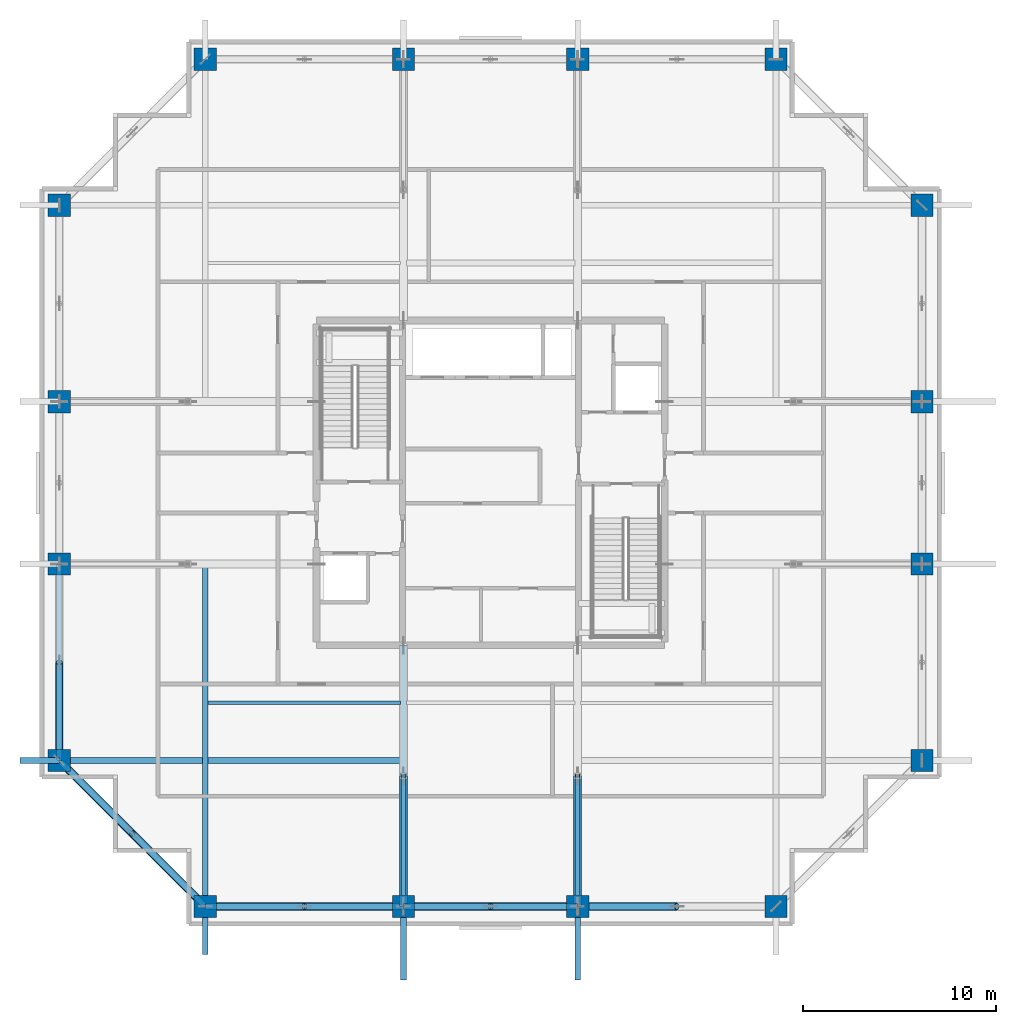
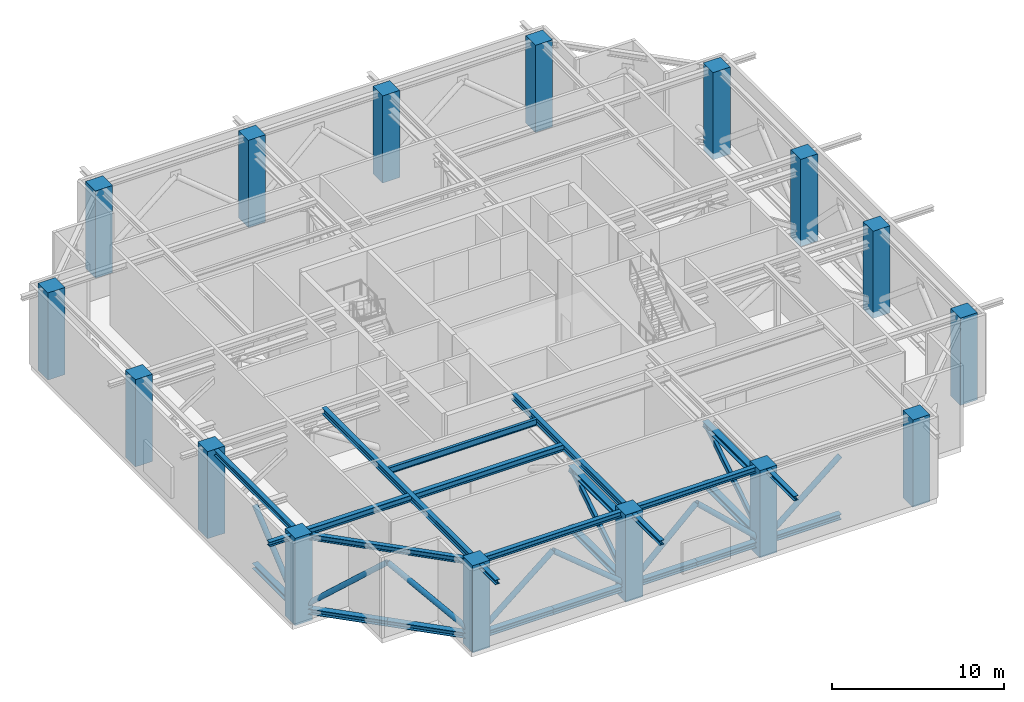
# One storey, part 1 of 22: 22 members, 16 columns, 12 beams.
"""IFC4 building model written with IfcOpenShell, lengths in metres."""

from ifc_helpers import new_model, si_unit, direction, frame, origin, origin_2d, place, context, subcontext, project, spatial, rectangle, hollow_rectangle, hollow_circle, i_section, extrude, source, transform, mapped, material, material_profile, profile_set, type_object, element, save


model = new_model("IFC4")

# Units and contexts
model_context = context("Model", 3, precision=1e-05, world=origin(), true_north=direction((0.0, 1.0)))
body_context = subcontext(model_context, "Body", "Model", "MODEL_VIEW")
ifc_project = project(units=[si_unit("LENGTHUNIT", "METRE"), si_unit("AREAUNIT", "SQUARE_METRE"), si_unit("VOLUMEUNIT", "CUBIC_METRE"), si_unit("PLANEANGLEUNIT", "RADIAN"), si_unit("MASSUNIT", "GRAM", prefix="KILO")], contexts=[model_context])

# Site, building, storey
site_placement = place(None, origin())
site = spatial("IfcSite", under=ifc_project, at=site_placement, CompositionType="ELEMENT")
building_placement = place(site_placement, origin())
building = spatial("IfcBuilding", under=site, at=building_placement, Name="Serunith Strait Residences", CompositionType="ELEMENT")
storey_placement = place(building_placement, frame((0.0, 0.0, 287.449951171875)))
storey = spatial("IfcBuildingStorey", under=building, at=storey_placement, Name="L72", CompositionType="ELEMENT", Elevation=287.449951171875)

# Columns
ifc_material_1 = material(Name="Concrete C80/95", Category="concrete")
ifc_material_profile_1 = material_profile(ifc_material_1, rectangle(XDim=1.14990234375, YDim=1.14990234375, at=origin_2d()), Name="RC 1150x1150")
ifc_profile_set_1 = profile_set([ifc_material_profile_1], Name="Concrete C80/95")
column_type = type_object("IfcColumnType", Name="COL-RC-1150", PredefinedType="COLUMN", material=ifc_profile_set_1)
shared_shape_1 = source(origin(), body_context, "Body", "SweptSolid", [
    extrude(rectangle(XDim=1.14990234375, YDim=1.14990234375, at=origin_2d()), origin(), (0.0, 0.0, 1.0), 6.179931640625),
])
for number, where, z_axis, x_axis, name in (
    (1, (17.64990234375, 3.300048828125, -0.43994140625), (0.0, 0.0, 1.0), (1.0, 0.0, 0.0), "L72 Tower Mega-Column TC-S1"),
    (2, (27.89990234375, 3.300048828125, -0.43994140625), (0.0, 0.0, 1.0), (1.0, 0.0, 0.0), "L72 Tower Mega-Column TC-S2"),
    (3, (36.89990234375, 3.300048828125, -0.43994140625), (0.0, 0.0, 1.0), (1.0, 0.0, 0.0), "L72 Tower Mega-Column TC-S3"),
    (4, (47.14990234375, 3.300048828125, -0.43994140625), (0.0, 0.0, 1.0), (1.0, 0.0, 0.0), "L72 Tower Mega-Column TC-S4"),
    (5, (17.64990234375, 47.10009765625, -0.43994140625), (0.0, 0.0, 1.0), (1.0, 0.0, 0.0), "L72 Tower Mega-Column TC-N1"),
    (6, (27.89990234375, 47.10009765625, -0.43994140625), (0.0, 0.0, 1.0), (1.0, 0.0, 0.0), "L72 Tower Mega-Column TC-N2"),
    (7, (36.89990234375, 47.10009765625, -0.43994140625), (0.0, 0.0, 1.0), (1.0, 0.0, 0.0), "L72 Tower Mega-Column TC-N3"),
    (8, (47.14990234375, 47.10009765625, -0.43994140625), (0.0, 0.0, 1.0), (1.0, 0.0, 0.0), "L72 Tower Mega-Column TC-N4"),
    (9, (54.699951171875, 10.85009765625, -0.43994140625), (0.0, 0.0, 1.0), (1.0, 0.0, 0.0), "L72 Tower Mega-Column TC-E1"),
    (10, (54.699951171875, 21.0, -0.43994140625), (0.0, 0.0, 1.0), (1.0, 0.0, 0.0), "L72 Tower Mega-Column TC-E2"),
    (11, (54.699951171875, 29.39990234375, -0.43994140625), (0.0, 0.0, 1.0), (1.0, 0.0, 0.0), "L72 Tower Mega-Column TC-E3"),
    (12, (54.699951171875, 39.550048828125, -0.43994140625), (0.0, 0.0, 1.0), (1.0, 0.0, 0.0), "L72 Tower Mega-Column TC-E4"),
    (13, (10.10009765625, 10.85009765625, -0.43994140625), (0.0, 0.0, 1.0), (1.0, 0.0, 0.0), "L72 Tower Mega-Column TC-W1"),
    (14, (10.10009765625, 21.0, -0.43994140625), (0.0, 0.0, 1.0), (1.0, 0.0, 0.0), "L72 Tower Mega-Column TC-W2"),
    (15, (10.10009765625, 29.39990234375, -0.43994140625), (0.0, 0.0, 1.0), (1.0, 0.0, 0.0), "L72 Tower Mega-Column TC-W3"),
    (16, (10.10009765625, 39.550048828125, -0.43994140625), (0.0, 0.0, 1.0), (1.0, 0.0, 0.0), "L72 Tower Mega-Column TC-W4"),
):
    element("IfcColumn", number, at=place(storey_placement, frame(where, z_axis=z_axis, x_axis=x_axis)), inside=storey, type_object=column_type, Name=name, PredefinedType="COLUMN", context=body_context, shape_type="MappedRepresentation", body=[
        mapped(shared_shape_1, transform((0.0, 0.0, 0.0), scale=1.0)),
    ])

# Beams
ifc_material_2 = material(Name="Steel S355J2", Category="steel")
ifc_material_profile_2 = material_profile(ifc_material_2, i_section(OverallWidth=0.300048828125, OverallDepth=0.39990234375, WebThickness=0.013427734375, FlangeThickness=0.02392578125, FilletRadius=0.027099609375, at=origin_2d()), Name="HEB 400")
ifc_profile_set_2 = profile_set([ifc_material_profile_2], Name="Steel S355J2")
beam_type_1 = type_object("IfcBeamType", Name="BM-HEB400", PredefinedType="BEAM", material=ifc_profile_set_2)
shared_shape_2 = source(origin(), body_context, "Body", "SweptSolid", [
    extrude(i_section(OverallWidth=0.300048828125, OverallDepth=0.39990234375, WebThickness=0.013427734375, FlangeThickness=0.02392578125, FilletRadius=0.027099609375, at=origin_2d()), origin(), (0.0, 0.0, 1.0), 9.0),
])
beam_1_placement = place(storey_placement, frame((27.89990234375, 3.300048828125, 5.537109375), z_axis=(1.0, 0.0, 0.0), x_axis=(0.0, 1.0, 0.0)))
element("IfcBeam", 17, at=beam_1_placement, inside=storey, type_object=beam_type_1, Name="L72 Perimeter Ring Beam 02", PredefinedType="BEAM", context=body_context, shape_type="MappedRepresentation", body=[
    mapped(shared_shape_2, transform((0.0, 0.0, 0.0), scale=1.0)),
])
ifc_material_profile_3 = material_profile(ifc_material_2, i_section(OverallWidth=0.300048828125, OverallDepth=0.320068359375, WebThickness=0.011474609375, FlangeThickness=0.0205078125, FilletRadius=0.027099609375, at=origin_2d()), Name="HEB 320")
ifc_profile_set_3 = profile_set([ifc_material_profile_3], Name="Steel S355J2")
beam_type_2 = type_object("IfcBeamType", Name="BM-HEB320", PredefinedType="BEAM", material=ifc_profile_set_3)
shared_shape_3 = source(origin(), body_context, "Body", "SweptSolid", [
    extrude(i_section(OverallWidth=0.300048828125, OverallDepth=0.320068359375, WebThickness=0.011474609375, FlangeThickness=0.0205078125, FilletRadius=0.027099609375, at=origin_2d()), origin(), (0.0, 0.0, 1.0), 3.800048828125),
])
for number, where, z_axis, x_axis, name in (
    (18, (27.89990234375, 3.300048828125, 5.547119140625), (0.0, -1.0, 0.0), (1.0, 0.0, 0.0), "L73 Cantilevered Balcony Rib TC-S2"),
    (19, (36.89990234375, 3.300048828125, 5.547119140625), (0.0, -1.0, 0.0), (1.0, 0.0, 0.0), "L73 Cantilevered Balcony Rib TC-S3"),
):
    element("IfcBeam", number, at=place(storey_placement, frame(where, z_axis=z_axis, x_axis=x_axis)), inside=storey, type_object=beam_type_2, Name=name, PredefinedType="BEAM", context=body_context, shape_type="MappedRepresentation", body=[
        mapped(shared_shape_3, transform((0.0, 0.0, 0.0), scale=1.0)),
    ])
shared_shape_4 = source(origin(), body_context, "Body", "SweptSolid", [
    extrude(i_section(OverallWidth=0.300048828125, OverallDepth=0.320068359375, WebThickness=0.011474609375, FlangeThickness=0.0205078125, FilletRadius=0.027099609375, at=origin_2d()), origin(), (0.0, 0.0, 1.0), 2.030029296875),
])
beam_2_placement = place(storey_placement, frame((10.10009765625, 10.85009765625, 5.547119140625), z_axis=(-1.0, 0.0, 0.0), x_axis=(0.0, -1.0, 0.0)))
element("IfcBeam", 20, at=beam_2_placement, inside=storey, type_object=beam_type_2, Name="L73 Cantilevered Balcony Rib TC-W1", PredefinedType="BEAM", context=body_context, shape_type="MappedRepresentation", body=[
    mapped(shared_shape_4, transform((0.0, 0.0, 0.0), scale=1.0)),
])
ifc_material_profile_4 = material_profile(ifc_material_2, i_section(OverallWidth=0.300048828125, OverallDepth=0.449951171875, WebThickness=0.013916015625, FlangeThickness=0.02587890625, FilletRadius=0.027099609375, at=origin_2d()), Name="HEB 450")
ifc_profile_set_4 = profile_set([ifc_material_profile_4], Name="Steel S355J2")
beam_type_3 = type_object("IfcBeamType", Name="BM-HEB450", PredefinedType="BEAM", material=ifc_profile_set_4)
shared_shape_5 = source(origin(), body_context, "Body", "SweptSolid", [
    extrude(i_section(OverallWidth=0.300048828125, OverallDepth=0.449951171875, WebThickness=0.013916015625, FlangeThickness=0.02587890625, FilletRadius=0.027099609375, at=origin_2d()), origin(), (0.0, 0.0, 1.0), 13.5),
])
beam_3_placement = place(storey_placement, frame((27.89990234375, 16.800048828125, 5.511962890625), z_axis=(0.0, -1.0, 0.0), x_axis=(1.0, 0.0, 0.0)))
element("IfcBeam", 21, at=beam_3_placement, inside=storey, type_object=beam_type_3, Name="L72 Primary Floor Girder TC-S2", PredefinedType="BEAM", context=body_context, shape_type="MappedRepresentation", body=[
    mapped(shared_shape_5, transform((0.0, 0.0, 0.0), scale=1.0)),
])
shared_shape_6 = source(origin(), body_context, "Body", "SweptSolid", [
    extrude(i_section(OverallWidth=0.300048828125, OverallDepth=0.449951171875, WebThickness=0.013916015625, FlangeThickness=0.02587890625, FilletRadius=0.027099609375, at=origin_2d()), origin(), (0.0, 0.0, 1.0), 17.699951171875),
])
beam_4_placement = place(storey_placement, frame((17.64990234375, 21.0, 5.511962890625), z_axis=(0.0, -1.0, 0.0), x_axis=(1.0, 0.0, 0.0)))
element("IfcBeam", 22, at=beam_4_placement, inside=storey, type_object=beam_type_3, Name="L72 Orthogonal Corner Girder TC-S1", PredefinedType="BEAM", context=body_context, shape_type="MappedRepresentation", body=[
    mapped(shared_shape_6, transform((0.0, 0.0, 0.0), scale=1.0)),
])
shared_shape_7 = source(origin(), body_context, "Body", "SweptSolid", [
    extrude(i_section(OverallWidth=0.300048828125, OverallDepth=0.449951171875, WebThickness=0.013916015625, FlangeThickness=0.02587890625, FilletRadius=0.027099609375, at=origin_2d()), origin(), (0.0, 0.0, 1.0), 17.7998046875),
])
beam_5_placement = place(storey_placement, frame((27.89990234375, 10.85009765625, 5.511962890625), z_axis=(-1.0, 0.0, 0.0), x_axis=(0.0, -1.0, 0.0)))
element("IfcBeam", 23, at=beam_5_placement, inside=storey, type_object=beam_type_3, Name="L72 Orthogonal Corner Girder TC-W1", PredefinedType="BEAM", context=body_context, shape_type="MappedRepresentation", body=[
    mapped(shared_shape_7, transform((0.0, 0.0, 0.0), scale=1.0)),
])
shared_shape_8 = source(origin(), body_context, "Body", "SweptSolid", [
    extrude(i_section(OverallWidth=0.300048828125, OverallDepth=0.39990234375, WebThickness=0.013427734375, FlangeThickness=0.02392578125, FilletRadius=0.027099609375, at=origin_2d()), origin(), (0.0, 0.0, 1.0), 10.25),
])
beam_6_placement = place(storey_placement, frame((17.64990234375, 3.300048828125, 5.537109375), z_axis=(1.0, 0.0, 0.0), x_axis=(0.0, 1.0, 0.0)))
element("IfcBeam", 24, at=beam_6_placement, inside=storey, type_object=beam_type_1, Name="L72 Perimeter Ring Beam 01", PredefinedType="BEAM", context=body_context, shape_type="MappedRepresentation", body=[
    mapped(shared_shape_8, transform((0.0, 0.0, 0.0), scale=1.0)),
])
shared_shape_9 = source(origin(), body_context, "Body", "SweptSolid", [
    extrude(i_section(OverallWidth=0.300048828125, OverallDepth=0.39990234375, WebThickness=0.013427734375, FlangeThickness=0.02392578125, FilletRadius=0.027099609375, at=origin_2d()), origin(), (0.0, 0.0, 1.0), 10.14990234375),
])
beam_7_placement = place(storey_placement, frame((10.10009765625, 21.0, 5.537109375), z_axis=(0.0, -1.0, 0.0), x_axis=(1.0, 0.0, 0.0)))
element("IfcBeam", 25, at=beam_7_placement, inside=storey, type_object=beam_type_1, Name="L72 Perimeter Ring Beam 15", PredefinedType="BEAM", context=body_context, shape_type="MappedRepresentation", body=[
    mapped(shared_shape_9, transform((0.0, 0.0, 0.0), scale=1.0)),
])
shared_shape_10 = source(origin(), body_context, "Body", "SweptSolid", [
    extrude(i_section(OverallWidth=0.300048828125, OverallDepth=0.39990234375, WebThickness=0.013427734375, FlangeThickness=0.02392578125, FilletRadius=0.027099609375, at=origin_2d()), origin(), (0.0, 0.0, 1.0), 10.67724609375),
])
beam_8_placement = place(storey_placement, frame((10.10009765625, 10.85009765625, 5.507080078125), z_axis=(0.707095348302, -0.707118213887, 0.0), x_axis=(0.707118213887, 0.707095348302, 0.0)))
element("IfcBeam", 26, at=beam_8_placement, inside=storey, type_object=beam_type_1, Name="L72 Perimeter Ring Beam 16", PredefinedType="BEAM", context=body_context, shape_type="MappedRepresentation", body=[
    mapped(shared_shape_10, transform((0.0, 0.0, 0.0), scale=1.0)),
])
ifc_material_profile_5 = material_profile(ifc_material_2, i_section(OverallWidth=0.18994140625, OverallDepth=0.449951171875, WebThickness=0.009521484375, FlangeThickness=0.0146484375, FilletRadius=0.02099609375, at=origin_2d()), Name="IPE 450")
ifc_profile_set_5 = profile_set([ifc_material_profile_5], Name="Steel S355J2")
beam_type_4 = type_object("IfcBeamType", Name="BM-IPE450", PredefinedType="JOIST", material=ifc_profile_set_5)
shared_shape_11 = source(origin(), body_context, "Body", "SweptSolid", [
    extrude(i_section(OverallWidth=0.18994140625, OverallDepth=0.449951171875, WebThickness=0.009521484375, FlangeThickness=0.0146484375, FilletRadius=0.02099609375, at=origin_2d()), origin(), (0.0, 0.0, 1.0), 9.949951171875),
])
beam_9_placement = place(storey_placement, frame((17.800048828125, 13.824951171875, 5.511962890625), z_axis=(1.0, 0.0, 0.0), x_axis=(0.0, 1.0, 0.0)))
element("IfcBeam", 27, at=beam_9_placement, inside=storey, type_object=beam_type_4, Name="L72 Composite Floor Joist 01", PredefinedType="JOIST", context=body_context, shape_type="MappedRepresentation", body=[
    mapped(shared_shape_11, transform((0.0, 0.0, 0.0), scale=1.0)),
])
shared_shape_12 = source(origin(), body_context, "Body", "SweptSolid", [
    extrude(i_section(OverallWidth=0.300048828125, OverallDepth=0.320068359375, WebThickness=0.011474609375, FlangeThickness=0.0205078125, FilletRadius=0.027099609375, at=origin_2d()), origin(), (0.0, 0.0, 1.0), 2.474609375),
])
beam_10_placement = place(storey_placement, frame((17.64990234375, 3.300048828125, 5.547119140625), z_axis=(0.0, -1.0, 0.0), x_axis=(1.0, 0.0, 0.0)))
element("IfcBeam", 28, at=beam_10_placement, inside=storey, type_object=beam_type_2, Name="L73 Cantilevered Balcony Rib TC-S1", PredefinedType="BEAM", context=body_context, shape_type="MappedRepresentation", body=[
    mapped(shared_shape_12, transform((0.0, 0.0, 0.0), scale=1.0)),
])

# Members
ifc_material_3 = material(Name="Steel S460M", Category="steel")
ifc_material_profile_6 = material_profile(ifc_material_3, i_section(OverallWidth=0.406005859375, OverallDepth=0.416015625, WebThickness=0.02978515625, FlangeThickness=0.048095703125, FilletRadius=0.014892578125, at=origin_2d()), Name="HD 400x382")
ifc_profile_set_6 = profile_set([ifc_material_profile_6], Name="Steel S460M")
member_type_1 = type_object("IfcMemberType", Name="MBR-CHORD-HD382", PredefinedType="CHORD", material=ifc_profile_set_6)
shared_shape_13 = source(origin(), body_context, "Body", "SweptSolid", [
    extrude(i_section(OverallWidth=0.406005859375, OverallDepth=0.416015625, WebThickness=0.02978515625, FlangeThickness=0.048095703125, FilletRadius=0.014892578125, at=origin_2d()), origin(), (0.0, 0.0, 1.0), 6.75),
])
for number, where, z_axis, x_axis, name in (
    (29, (27.89990234375, 10.050048828125, 0.25), (0.0, -1.0, 0.0), (1.0, 0.0, 0.0), "L72 Outrigger Arm 1 Bottom Chord 2"),
    (30, (27.89990234375, 10.050048828125, 4.489990234375), (0.0, -1.0, 0.0), (1.0, 0.0, 0.0), "L72 Outrigger Arm 1 Top Chord 2"),
    (31, (36.89990234375, 10.050048828125, 0.25), (0.0, -1.0, 0.0), (1.0, 0.0, 0.0), "L72 Outrigger Arm 2 Bottom Chord 2"),
    (32, (36.89990234375, 10.050048828125, 4.489990234375), (0.0, -1.0, 0.0), (1.0, 0.0, 0.0), "L72 Outrigger Arm 2 Top Chord 2"),
):
    element("IfcMember", number, at=place(storey_placement, frame(where, z_axis=z_axis, x_axis=x_axis)), inside=storey, type_object=member_type_1, Name=name, PredefinedType="CHORD", context=body_context, shape_type="MappedRepresentation", body=[
        mapped(shared_shape_13, transform((0.0, 0.0, 0.0), scale=1.0)),
    ])
ifc_material_profile_7 = material_profile(ifc_material_3, hollow_rectangle(XDim=0.25, YDim=0.35009765625, WallThickness=0.01611328125, InnerFilletRadius=0.02392578125, OuterFilletRadius=0.0400390625, at=origin_2d()), Name="RHS 350x250x16")
ifc_profile_set_7 = profile_set([ifc_material_profile_7], Name="Steel S460M")
member_type_2 = type_object("IfcMemberType", Name="MBR-BRACE-RHS350", PredefinedType="BRACE", material=ifc_profile_set_7)
shared_shape_14 = source(origin(), body_context, "Body", "SweptSolid", [
    extrude(hollow_rectangle(XDim=0.25, YDim=0.35009765625, WallThickness=0.01611328125, InnerFilletRadius=0.02392578125, OuterFilletRadius=0.0400390625, at=origin_2d()), origin(), (0.0, 0.0, 1.0), 7.97119140625),
])
for number, where, z_axis, x_axis, name in (
    (33, (27.89990234375, 10.050048828125, 4.489990234375), (0.0, -0.846798556152, -0.531913719788), (1.0, 0.0, 0.0), "L72 Outrigger Arm 1 Outer Diagonal"),
    (34, (36.89990234375, 10.050048828125, 4.489990234375), (0.0, -0.846798556152, -0.531913719788), (1.0, 0.0, 0.0), "L72 Outrigger Arm 2 Outer Diagonal"),
):
    element("IfcMember", number, at=place(storey_placement, frame(where, z_axis=z_axis, x_axis=x_axis)), inside=storey, type_object=member_type_2, Name=name, PredefinedType="BRACE", context=body_context, shape_type="MappedRepresentation", body=[
        mapped(shared_shape_14, transform((0.0, 0.0, 0.0), scale=1.0)),
    ])
ifc_material_profile_8 = material_profile(ifc_material_3, i_section(OverallWidth=0.39794921875, OverallDepth=0.386962890625, WebThickness=0.02099609375, FlangeThickness=0.033203125, FilletRadius=0.014892578125, at=origin_2d()), Name="HD 400x262")
ifc_profile_set_8 = profile_set([ifc_material_profile_8], Name="Steel S460M")
member_type_3 = type_object("IfcMemberType", Name="MBR-CHORD-HD262", PredefinedType="CHORD", material=ifc_profile_set_8)
shared_shape_15 = source(origin(), body_context, "Body", "SweptSolid", [
    extrude(i_section(OverallWidth=0.39794921875, OverallDepth=0.386962890625, WebThickness=0.02099609375, FlangeThickness=0.033203125, FilletRadius=0.014892578125, at=origin_2d()), origin(), (0.0, 0.0, 1.0), 5.125),
])
for number, where, z_axis, x_axis, name in (
    (35, (17.64990234375, 3.300048828125, 0.25), (1.0, 0.0, 0.0), (0.0, 1.0, 0.0), "L72 Belt Truss Bay 01 Chord A"),
    (36, (22.77490234375, 3.300048828125, 0.25), (1.0, 0.0, 0.0), (0.0, 1.0, 0.0), "L72 Belt Truss Bay 01 Chord B"),
    (37, (36.89990234375, 3.300048828125, 0.25), (1.0, 0.0, 0.0), (0.0, 1.0, 0.0), "L72 Belt Truss Bay 03 Chord A"),
):
    element("IfcMember", number, at=place(storey_placement, frame(where, z_axis=z_axis, x_axis=x_axis)), inside=storey, type_object=member_type_3, Name=name, PredefinedType="CHORD", context=body_context, shape_type="MappedRepresentation", body=[
        mapped(shared_shape_15, transform((0.0, 0.0, 0.0), scale=1.0)),
    ])
ifc_material_profile_9 = material_profile(ifc_material_2, hollow_circle(Radius=0.177734375, WallThickness=0.012451171875, at=origin_2d()), Name="CHS 355.6x12.5")
ifc_profile_set_9 = profile_set([ifc_material_profile_9], Name="Steel S355J2")
member_type_4 = type_object("IfcMemberType", Name="MBR-DIAG-CHS355", PredefinedType="BRACE", material=ifc_profile_set_9)
shared_shape_16 = source(origin(), body_context, "Body", "SweptSolid", [
    extrude(hollow_circle(Radius=0.177734375, WallThickness=0.012451171875, at=origin_2d()), origin(), (0.0, 0.0, 1.0), 6.651611328125),
])
for number, where, z_axis, x_axis, name in (
    (38, (17.64990234375, 3.300048828125, 0.25), (0.770496886362, 0.0, 0.63744376074), (0.0, 1.0, 0.0), "L72 Belt Truss Bay 01 Diagonal 1"),
    (39, (27.89990234375, 3.300048828125, 0.25), (-0.770496886362, 0.0, 0.63744376074), (0.0, -1.0, 0.0), "L72 Belt Truss Bay 01 Diagonal 2"),
    (40, (36.89990234375, 3.300048828125, 0.25), (0.770496886362, 0.0, 0.63744376074), (0.0, 1.0, 0.0), "L72 Belt Truss Bay 03 Diagonal 1"),
):
    element("IfcMember", number, at=place(storey_placement, frame(where, z_axis=z_axis, x_axis=x_axis)), inside=storey, type_object=member_type_4, Name=name, PredefinedType="BRACE", context=body_context, shape_type="MappedRepresentation", body=[
        mapped(shared_shape_16, transform((0.0, 0.0, 0.0), scale=1.0)),
    ])
shared_shape_17 = source(origin(), body_context, "Body", "SweptSolid", [
    extrude(i_section(OverallWidth=0.39794921875, OverallDepth=0.386962890625, WebThickness=0.02099609375, FlangeThickness=0.033203125, FilletRadius=0.014892578125, at=origin_2d()), origin(), (0.0, 0.0, 1.0), 4.5),
])
for number, where, z_axis, x_axis, name in (
    (41, (27.89990234375, 3.300048828125, 0.25), (1.0, 0.0, 0.0), (0.0, 1.0, 0.0), "L72 Belt Truss Bay 02 Chord A"),
    (42, (32.39990234375, 3.300048828125, 0.25), (1.0, 0.0, 0.0), (0.0, 1.0, 0.0), "L72 Belt Truss Bay 02 Chord B"),
):
    element("IfcMember", number, at=place(storey_placement, frame(where, z_axis=z_axis, x_axis=x_axis)), inside=storey, type_object=member_type_3, Name=name, PredefinedType="CHORD", context=body_context, shape_type="MappedRepresentation", body=[
        mapped(shared_shape_17, transform((0.0, 0.0, 0.0), scale=1.0)),
    ])
shared_shape_18 = source(origin(), body_context, "Body", "SweptSolid", [
    extrude(hollow_circle(Radius=0.177734375, WallThickness=0.012451171875, at=origin_2d()), origin(), (0.0, 0.0, 1.0), 6.182861328125),
])
for number, where, z_axis, x_axis, name in (
    (43, (27.89990234375, 3.300048828125, 0.25), (0.727820807971, 0.0, 0.685767359594), (0.0, 1.0, 0.0), "L72 Belt Truss Bay 02 Diagonal 1"),
    (44, (36.89990234375, 3.300048828125, 0.25), (-0.727820807971, 0.0, 0.685767359594), (0.0, -1.0, 0.0), "L72 Belt Truss Bay 02 Diagonal 2"),
):
    element("IfcMember", number, at=place(storey_placement, frame(where, z_axis=z_axis, x_axis=x_axis)), inside=storey, type_object=member_type_4, Name=name, PredefinedType="BRACE", context=body_context, shape_type="MappedRepresentation", body=[
        mapped(shared_shape_18, transform((0.0, 0.0, 0.0), scale=1.0)),
    ])
shared_shape_19 = source(origin(), body_context, "Body", "SweptSolid", [
    extrude(i_section(OverallWidth=0.39794921875, OverallDepth=0.386962890625, WebThickness=0.02099609375, FlangeThickness=0.033203125, FilletRadius=0.014892578125, at=origin_2d()), origin(), (0.0, 0.0, 1.0), 5.338623046875),
])
for number, where, z_axis, x_axis, name in (
    (45, (10.10009765625, 10.85009765625, 0.25), (0.707083915602, -0.707129646032, 0.0), (0.707129646032, 0.707083915602, 0.0), "L72 Belt Truss Bay 16 Chord A"),
    (46, (13.875, 7.074951171875, 0.25), (0.707106781187, -0.707106781187, 0.0), (0.707106781187, 0.707106781187, 0.0), "L72 Belt Truss Bay 16 Chord B"),
):
    element("IfcMember", number, at=place(storey_placement, frame(where, z_axis=z_axis, x_axis=x_axis)), inside=storey, type_object=member_type_3, Name=name, PredefinedType="CHORD", context=body_context, shape_type="MappedRepresentation", body=[
        mapped(shared_shape_19, transform((0.0, 0.0, 0.0), scale=1.0)),
    ])
shared_shape_20 = source(origin(), body_context, "Body", "SweptSolid", [
    extrude(hollow_circle(Radius=0.177734375, WallThickness=0.012451171875, at=origin_2d()), origin(), (0.0, 0.0, 1.0), 6.817626953125),
])
member_1_placement = place(storey_placement, frame((10.10009765625, 10.85009765625, 0.25), z_axis=(0.553702772847, -0.5537385834, 0.621921876602), x_axis=(0.707129646032, 0.707083915602, 0.0)))
element("IfcMember", 47, at=member_1_placement, inside=storey, type_object=member_type_4, Name="L72 Belt Truss Bay 16 Diagonal 1", PredefinedType="BRACE", context=body_context, shape_type="MappedRepresentation", body=[
    mapped(shared_shape_20, transform((0.0, 0.0, 0.0), scale=1.0)),
])
shared_shape_21 = source(origin(), body_context, "Body", "SweptSolid", [
    extrude(i_section(OverallWidth=0.39794921875, OverallDepth=0.386962890625, WebThickness=0.02099609375, FlangeThickness=0.033203125, FilletRadius=0.014892578125, at=origin_2d()), origin(), (0.0, 0.0, 1.0), 5.074951171875),
])
member_2_placement = place(storey_placement, frame((10.10009765625, 15.925048828125, 0.25), z_axis=(0.0, -1.0, 0.0), x_axis=(1.0, 0.0, 0.0)))
element("IfcMember", 48, at=member_2_placement, inside=storey, type_object=member_type_3, Name="L72 Belt Truss Bay 15 Chord B", PredefinedType="CHORD", context=body_context, shape_type="MappedRepresentation", body=[
    mapped(shared_shape_21, transform((0.0, 0.0, 0.0), scale=1.0)),
])
shared_shape_22 = source(origin(), body_context, "Body", "SweptSolid", [
    extrude(hollow_circle(Radius=0.177734375, WallThickness=0.012451171875, at=origin_2d()), origin(), (0.0, 0.0, 1.0), 6.613037109375),
])
member_3_placement = place(storey_placement, frame((10.10009765625, 10.85009765625, 0.25), z_axis=(0.0, 0.767412710118, 0.641153439006), x_axis=(-1.0, 0.0, 0.0)))
element("IfcMember", 49, at=member_3_placement, inside=storey, type_object=member_type_4, Name="L72 Belt Truss Bay 15 Diagonal 2", PredefinedType="BRACE", context=body_context, shape_type="MappedRepresentation", body=[
    mapped(shared_shape_22, transform((0.0, 0.0, 0.0), scale=1.0)),
])
shared_shape_23 = source(origin(), body_context, "Body", "SweptSolid", [
    extrude(hollow_circle(Radius=0.177734375, WallThickness=0.012451171875, at=origin_2d()), origin(), (0.0, 0.0, 1.0), 6.8173828125),
])
member_4_placement = place(storey_placement, frame((17.64990234375, 3.300048828125, 0.25), z_axis=(-0.55371375257, 0.55371375257, 0.621934209085), x_axis=(-0.707106781187, -0.707106781187, 0.0)))
element("IfcMember", 50, at=member_4_placement, inside=storey, type_object=member_type_4, Name="L72 Belt Truss Bay 16 Diagonal 2", PredefinedType="BRACE", context=body_context, shape_type="MappedRepresentation", body=[
    mapped(shared_shape_23, transform((0.0, 0.0, 0.0), scale=1.0)),
])

save(model, "model.ifc")
